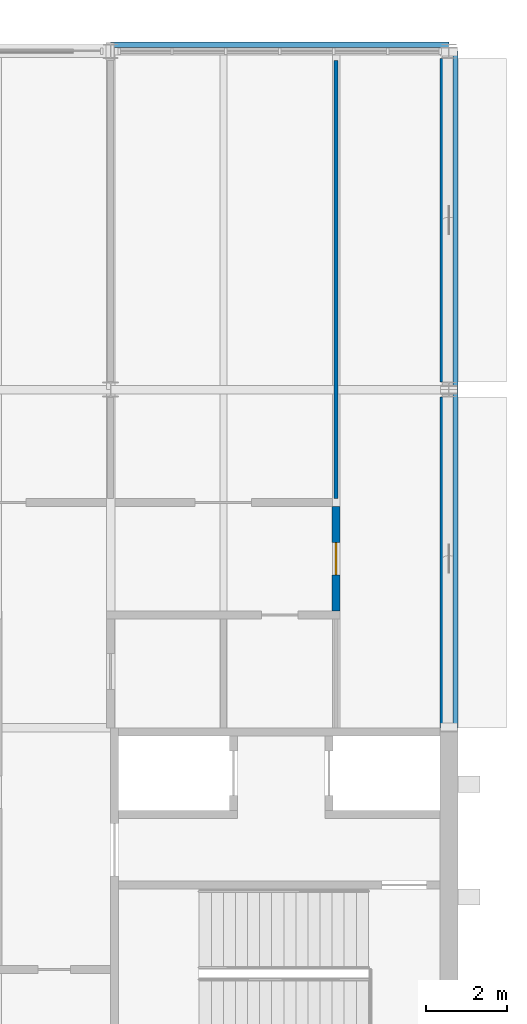
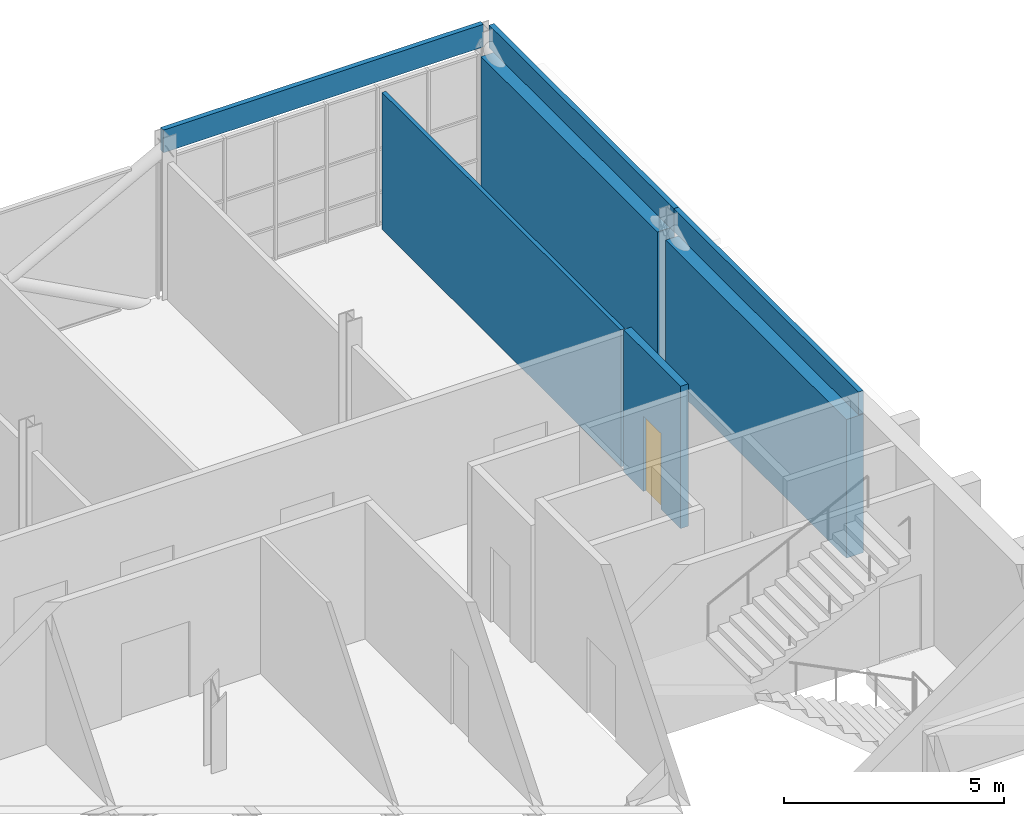
# One storey, part 91 of 121: 7 walls, 1 door, 1 opening.
"""IFC4 building model written with IfcOpenShell, lengths in metres."""

import ifcopenshell
import ifcopenshell.guid

model = None  # the IFC model being written
_history = None  # IfcOwnerHistory: only IFC2X3 demands one
_inside = {}  # id of a spatial element -> (the spatial element, [elements in it])
_under = {}  # id of a project, library or spatial element -> (it, [spatial elements below it])
_declared = {}  # id of a project -> (the project, [libraries it declares])
_typed = {}  # id of a type object -> (the type object, [elements of that type])
_made_of = {}  # id of a material, layer set ... -> (it, [elements and type objects made of it])


def new_model(schema):
    """Start an empty IFC model of exactly this schema.

    Asked for "IFC4X3", IfcOpenShell would pick the latest addendum, in which some entities
    have other attributes; the version numbers below select the first issue.
    IFC2X3 requires an IfcOwnerHistory on every rooted entity: one is made here for all.
    """
    global model, _history
    if schema == "IFC4X3":
        model = ifcopenshell.file(schema_version=(4, 3, 0, 0))
    else:
        model = ifcopenshell.file(schema=schema)
    _inside.clear()
    _under.clear()
    _declared.clear()
    _typed.clear()
    _made_of.clear()
    _history = None
    if model.schema == "IFC2X3":
        org = make("IfcOrganization", Name="unknown")
        user = make(
            "IfcPersonAndOrganization",
            ThePerson=make("IfcPerson", FamilyName="unknown"),
            TheOrganization=org,
        )
        app = make(
            "IfcApplication",
            ApplicationDeveloper=org,
            Version="unknown",
            ApplicationFullName="unknown",
            ApplicationIdentifier="unknown",
        )
        _history = make(
            "IfcOwnerHistory",
            OwningUser=user,
            OwningApplication=app,
            ChangeAction="ADDED",
            CreationDate=0,
        )
    return model


def make(cls, **values):
    """One entity of the class cls with the attributes given. An attribute that is None is left unset."""
    return model.create_entity(
        cls, **{name: value for name, value in values.items() if value is not None}
    )


def rooted(cls, **values):
    """An entity with a GlobalId (a new one), such as an element, a storey or a relation."""
    return make(cls, GlobalId=ifcopenshell.guid.new(), OwnerHistory=_history, **values)


def si_unit(unit_type, name, prefix=None):
    """IfcSIUnit, for example si_unit("LENGTHUNIT", "METRE", prefix="MILLI")."""
    return make("IfcSIUnit", UnitType=unit_type, Prefix=prefix, Name=name)


def assignment(units):
    """IfcUnitAssignment: the units of a project."""
    return None if units is None else make("IfcUnitAssignment", Units=units)


def point(xyz):
    """IfcCartesianPoint."""
    return None if xyz is None else make("IfcCartesianPoint", Coordinates=xyz)


def direction(xyz):
    """IfcDirection."""
    return None if xyz is None else make("IfcDirection", DirectionRatios=xyz)


def frame(location, z_axis=None, x_axis=None):
    """IfcAxis2Placement3D, a coordinate frame: its origin and axes. An axis left out is left unset."""
    return make(
        "IfcAxis2Placement3D",
        Location=point(location),
        Axis=direction(z_axis),
        RefDirection=direction(x_axis),
    )


def frame_2d(location, x_axis=None):
    """IfcAxis2Placement2D, a coordinate frame in the plane: its origin and x axis."""
    return make(
        "IfcAxis2Placement2D", Location=point(location), RefDirection=direction(x_axis)
    )


def origin():
    """The frame at (0, 0, 0) with its axes left unset."""
    return frame((0.0, 0.0, 0.0))


def place(relative_to, where):
    """IfcLocalPlacement: puts the frame where relative to a parent placement (None: the world)."""
    return make(
        "IfcLocalPlacement", PlacementRelTo=relative_to, RelativePlacement=where
    )


def context(
    kind, dimensions, precision=None, world=None, true_north=None, identifier=None
):
    """IfcGeometricRepresentationContext, for example the 3D "Model" context."""
    return make(
        "IfcGeometricRepresentationContext",
        ContextIdentifier=identifier,
        ContextType=kind,
        CoordinateSpaceDimension=dimensions,
        Precision=precision,
        WorldCoordinateSystem=world,
        TrueNorth=true_north,
    )


def subcontext(parent, identifier, kind, view, scale=None):
    """IfcGeometricRepresentationSubContext, for example "Body" below "Model"."""
    return make(
        "IfcGeometricRepresentationSubContext",
        ContextIdentifier=identifier,
        ContextType=kind,
        ParentContext=parent,
        TargetScale=scale,
        TargetView=view,
    )


def project(units=None, contexts=None):
    """IfcProject with its units and contexts."""
    return rooted(
        "IfcProject",
        Name="project",
        RepresentationContexts=contexts,
        UnitsInContext=assignment(units),
    )


def spatial(cls, under=None, at=None, **own):
    """A site, building, storey or space (cls), placed at a placement, below another one or the project."""
    s = rooted(cls, ObjectPlacement=at, **own)
    if under is not None:
        _under.setdefault(under.id(), (under, []))[1].append(s)
    return s


def profile(cls, at=None, kind="AREA", **sizes):
    """A parametric profile (cls). Its sizes go by their IFC names, for example OverallWidth=200.0."""
    return make(cls, ProfileType=kind, Position=at, **sizes)


def rectangle(**sizes):
    """IfcRectangleProfileDef."""
    return profile("IfcRectangleProfileDef", **sizes)


def extrude(swept, where, along, depth):
    """IfcExtrudedAreaSolid: the profile swept, set in the frame where, extruded along a direction by depth."""
    return make(
        "IfcExtrudedAreaSolid",
        SweptArea=swept,
        Position=where,
        ExtrudedDirection=direction(along),
        Depth=depth,
    )


def shape(context_of_items, identifier, shape_type, items):
    """IfcShapeRepresentation: the items that make up one representation, for example the "Body"."""
    return make(
        "IfcShapeRepresentation",
        ContextOfItems=context_of_items,
        RepresentationIdentifier=identifier,
        RepresentationType=shape_type,
        Items=items,
    )


def material(Name=None, Category=None):
    """IfcMaterial."""
    return make("IfcMaterial", Name=Name, Category=Category)


def layer(
    of_material, thickness, ventilated=None, Name=None, Category=None, Priority=None
):
    """IfcMaterialLayer: one layer of a wall or slab, of a material (None: an air gap)."""
    return make(
        "IfcMaterialLayer",
        Material=of_material,
        LayerThickness=thickness,
        IsVentilated=ventilated,
        Name=Name,
        Category=Category,
        Priority=Priority,
    )


def layer_set(layers, Name=None):
    """IfcMaterialLayerSet."""
    return make("IfcMaterialLayerSet", MaterialLayers=layers, LayerSetName=Name)


def made_of(thing, what):
    """Note that an element or type object is made of a material, layer set ...; save() writes the relation."""
    if what is not None:
        _made_of.setdefault(what.id(), (what, []))[1].append(thing)
    return thing


def type_object(cls, material=None, **own):
    """A type object (cls), such as IfcWallType, which elements share."""
    return made_of(rooted(cls, **own), material)


def element(
    cls,
    number,
    at=None,
    inside=None,
    cuts=None,
    type_object=None,
    material=None,
    context=None,
    identifier="Body",
    shape_type=None,
    held_by="IfcProductDefinitionShape",
    body=None,
    shapes=None,
    **own,
):
    """One element of the class cls, such as IfcWall. Its Tag is "e" and its number.

    at: its placement. inside: the storey or other place that contains it. cuts: it is an
    opening in that element (IfcRelVoidsElement). A single representation is given by context,
    identifier, shape_type and body (its items); several are given by shapes. held_by: the class
    of the entity that holds the representations. save() writes the other relations.
    """
    e = rooted(cls, Tag="e%d" % number, ObjectPlacement=at, **own)
    if body is not None:
        shapes = [shape(context, identifier, shape_type, body)]
    if shapes is not None:
        e.Representation = make(held_by, Representations=shapes)
    if inside is not None:
        _inside.setdefault(inside.id(), (inside, []))[1].append(e)
    if cuts is not None:
        rooted(
            "IfcRelVoidsElement", RelatingBuildingElement=cuts, RelatedOpeningElement=e
        )
    if type_object is not None:
        _typed.setdefault(type_object.id(), (type_object, []))[1].append(e)
    return made_of(e, material)


def fill(opening, filler):
    """IfcRelFillsElement: the door or window that sits in an opening."""
    return rooted(
        "IfcRelFillsElement",
        RelatingOpeningElement=opening,
        RelatedBuildingElement=filler,
    )


def aggregate(whole, parts):
    """IfcRelAggregates: a whole, such as a stair, and the parts it consists of."""
    return rooted("IfcRelAggregates", RelatingObject=whole, RelatedObjects=parts)


def save(model, path):
    """Write the relations noted so far, then the file.

    IfcRelAggregates (storeys below a building ...), IfcRelContainedInSpatialStructure (elements
    in a storey), IfcRelDefinesByType, IfcRelAssociatesMaterial and IfcRelDeclares: one each for
    every whole, place, type object, material and project.
    """
    for whole, parts in _under.values():
        aggregate(whole, parts)
    for where, things in _inside.values():
        rooted(
            "IfcRelContainedInSpatialStructure",
            RelatedElements=things,
            RelatingStructure=where,
        )
    for kind, things in _typed.values():
        rooted("IfcRelDefinesByType", RelatedObjects=things, RelatingType=kind)
    for what, things in _made_of.values():
        rooted("IfcRelAssociatesMaterial", RelatedObjects=things, RelatingMaterial=what)
    for by, libraries in _declared.values():
        rooted("IfcRelDeclares", RelatingContext=by, RelatedDefinitions=libraries)
    model.write(path)


model = new_model("IFC4")

# Units and contexts
model_context = context("Model", 3, precision=1e-05, world=origin(), true_north=direction((0.0, 1.0)))
body_context = subcontext(model_context, "Body", "Model", "MODEL_VIEW")
ifc_project = project(units=[si_unit("LENGTHUNIT", "METRE"), si_unit("AREAUNIT", "SQUARE_METRE"), si_unit("VOLUMEUNIT", "CUBIC_METRE"), si_unit("PLANEANGLEUNIT", "RADIAN"), si_unit("MASSUNIT", "GRAM", prefix="KILO")], contexts=[model_context])

# Site, building, storey
site_placement = place(None, origin())
site = spatial("IfcSite", under=ifc_project, at=site_placement, CompositionType="ELEMENT")
building_placement = place(site_placement, origin())
building = spatial("IfcBuilding", under=site, at=building_placement, Name="Ardhachandra Cancer Care Centre", CompositionType="ELEMENT")
storey_placement = place(building_placement, frame((0.0, 0.0, 9.0)))
storey = spatial("IfcBuildingStorey", under=building, at=storey_placement, Name="L02", CompositionType="ELEMENT", Elevation=9.0)

# Walls
ifc_material_1 = material(Name="Brick masonry (clay brick, cement mortar) with mineral wool cavity insulation", Category="masonry")
ifc_layer_1 = layer(ifc_material_1, 0.449951171875)
ifc_layer_set_1 = layer_set([ifc_layer_1], Name="Brick masonry (clay brick, cement mortar) with mineral wool cavity insulation")
wall_type_1 = type_object("IfcWallType", Name="Brick wall 450", PredefinedType="SOLIDWALL", material=ifc_layer_set_1)
wall_1_placement = place(storey_placement, frame((145.199951171875, 88.199951171875, 0.0), z_axis=(0.0, 0.0, 1.0), x_axis=(0.0, 1.0, 0.0)))
element("IfcWall", 1, at=wall_1_placement, inside=storey, type_object=wall_type_1, Name="E/wall/L02/e/0145200_0088200", PredefinedType="SOLIDWALL", context=body_context, shape_type="SweptSolid", body=[
    extrude(rectangle(XDim=8.218017578125, YDim=0.449951171875, at=frame_2d((4.10888671875, 0.0))), origin(), (0.0, 0.0, 1.0), 3.85009765625),
])
wall_2_placement = place(storey_placement, frame((145.199951171875, 96.781982421875, 0.0), z_axis=(0.0, 0.0, 1.0), x_axis=(0.0, 1.0, 0.0)))
element("IfcWall", 2, at=wall_2_placement, inside=storey, type_object=wall_type_1, Name="E/wall/L02/e/0145200_0096600", PredefinedType="SOLIDWALL", context=body_context, shape_type="SweptSolid", body=[
    extrude(rectangle(XDim=8.0361328125, YDim=0.449951171875, at=frame_2d((4.01806640625, 0.0))), origin(), (0.0, 0.0, 1.0), 3.85009765625),
])

# Wall, opening, door
ifc_material_2 = material(Name="Gypsum board corridor partition on steel studs", Category="steel")
ifc_layer_2 = layer(ifc_material_2, 0.199951171875)
ifc_layer_set_2 = layer_set([ifc_layer_2], Name="Gypsum board corridor partition on steel studs")
wall_type_2 = type_object("IfcWallType", Name="CORRIDOR WALL 200", PredefinedType="PARTITIONING", material=ifc_layer_set_2)
wall_3_placement = place(storey_placement, frame((142.39990234375, 91.10009765625, 0.0), z_axis=(0.0, 0.0, 1.0), x_axis=(0.0, 1.0, 0.0)))
wall_3 = element("IfcWall", 3, at=wall_3_placement, inside=storey, type_object=wall_type_2, Name="R/wall/L02/v0142400_0091100", PredefinedType="PARTITIONING", context=body_context, shape_type="SweptSolid", body=[
    extrude(rectangle(XDim=2.599853515625, YDim=0.199951171875, at=frame_2d((1.2998046875, 0.0))), origin(), (0.0, 0.0, 1.0), 3.949951171875),
])
opening_placement = place(wall_3_placement, frame((0.89990234375, 0.0, 0.0)))
opening = element("IfcOpeningElement", 4, at=opening_placement, cuts=wall_3, Name="Opening L02-0037", PredefinedType="OPENING", context=body_context, shape_type="SweptSolid", body=[
    extrude(rectangle(XDim=0.800048828125, YDim=2.10009765625, at=frame_2d((0.39990234375, 1.050048828125))), frame((0.0, 0.10986328125, 0.0), z_axis=(0.0, -1.0, 0.0), x_axis=(1.0, 0.0, 0.0)), (0.0, 0.0, 1.0), 0.219970703125),
])
ifc_material_3 = material(Name="Timber flush fire door", Category="wood")
door_type = type_object("IfcDoorType", Name="STORE DOOR 800x2100 FD30S", OperationType="NOTDEFINED", PredefinedType="DOOR", material=ifc_material_3)
door_placement = place(opening_placement, origin())
door = element("IfcDoor", 5, at=door_placement, inside=storey, type_object=door_type, Name="Door L02-0037", OperationType="SINGLE_SWING_LEFT", OverallHeight=2.10009765625, OverallWidth=0.800048828125, PredefinedType="DOOR", context=body_context, shape_type="SweptSolid", body=[
    extrude(rectangle(XDim=0.800048828125, YDim=2.10009765625, at=frame_2d((0.39990234375, 1.050048828125))), frame((0.0, 0.02490234375, 0.0), z_axis=(0.0, -1.0, 0.0), x_axis=(1.0, 0.0, 0.0)), (0.0, 0.0, 1.0), 0.050048828125),
])
fill(opening, door)

# Walls
ifc_material_4 = material(Name="Precast Concrete M30 fascia panel with brick slip facing", Category="masonry")
ifc_layer_3 = layer(ifc_material_4, 0.1298828125)
ifc_layer_set_3 = layer_set([ifc_layer_3], Name="Precast Concrete M30 fascia panel with brick slip facing")
wall_type_3 = type_object("IfcWallType", Name="Edge beam fascia 130", PredefinedType="SOLIDWALL", material=ifc_layer_set_3)
wall_4_placement = place(storey_placement, frame((145.360107421875, 88.199951171875, 3.8701171875), z_axis=(0.0, 0.0, 1.0), x_axis=(0.0, 1.0, 0.0)))
element("IfcWall", 6, at=wall_4_placement, inside=storey, type_object=wall_type_3, Name="E/fascia/L02/e/0145200_0088200", PredefinedType="SOLIDWALL", context=body_context, shape_type="SweptSolid", body=[
    extrude(rectangle(XDim=8.400146484375, YDim=0.1298828125, at=frame_2d((4.2001953125, 0.0))), origin(), (0.0, 0.0, 1.0), 0.6298828125),
])
for number, where, z_axis, x_axis, name in (
    (7, (145.360107421875, 96.60009765625, 3.8701171875), (0.0, 0.0, 1.0), (0.0, 1.0, 0.0), "E/fascia/L02/e/0145200_0096600"),
    (8, (136.800048828125, 105.159912109375, 3.8701171875), (0.0, 0.0, 1.0), (1.0, 0.0, 0.0), "E/fascia/L02/n/0136800_0105000"),
):
    element("IfcWall", number, at=place(storey_placement, frame(where, z_axis=z_axis, x_axis=x_axis)), inside=storey, type_object=wall_type_3, Name=name, PredefinedType="SOLIDWALL", context=body_context, shape_type="SweptSolid", body=[
        extrude(rectangle(XDim=8.39990234375, YDim=0.1298828125, at=frame_2d((4.199951171875, 0.0))), origin(), (0.0, 0.0, 1.0), 0.6298828125),
    ])
ifc_material_5 = material(Name="Concrete block masonry", Category="masonry")
ifc_layer_4 = layer(ifc_material_5, 0.10009765625)
ifc_layer_set_4 = layer_set([ifc_layer_4], Name="Concrete block masonry")
wall_type_4 = type_object("IfcWallType", Name="STORE PARTITION 100", PredefinedType="SOLIDWALL", material=ifc_layer_set_4)
wall_5_placement = place(storey_placement, frame((142.39990234375, 93.89990234375, 0.0), z_axis=(0.0, 0.0, 1.0), x_axis=(0.0, 1.0, 0.0)))
element("IfcWall", 9, at=wall_5_placement, inside=storey, type_object=wall_type_4, Name="R/wall/L02/v0142400_0093900", PredefinedType="SOLIDWALL", context=body_context, shape_type="SweptSolid", body=[
    extrude(rectangle(XDim=10.875, YDim=0.10009765625, at=frame_2d((5.4375, 0.0))), origin(), (0.0, 0.0, 1.0), 3.800048828125),
])

save(model, "model.ifc")
